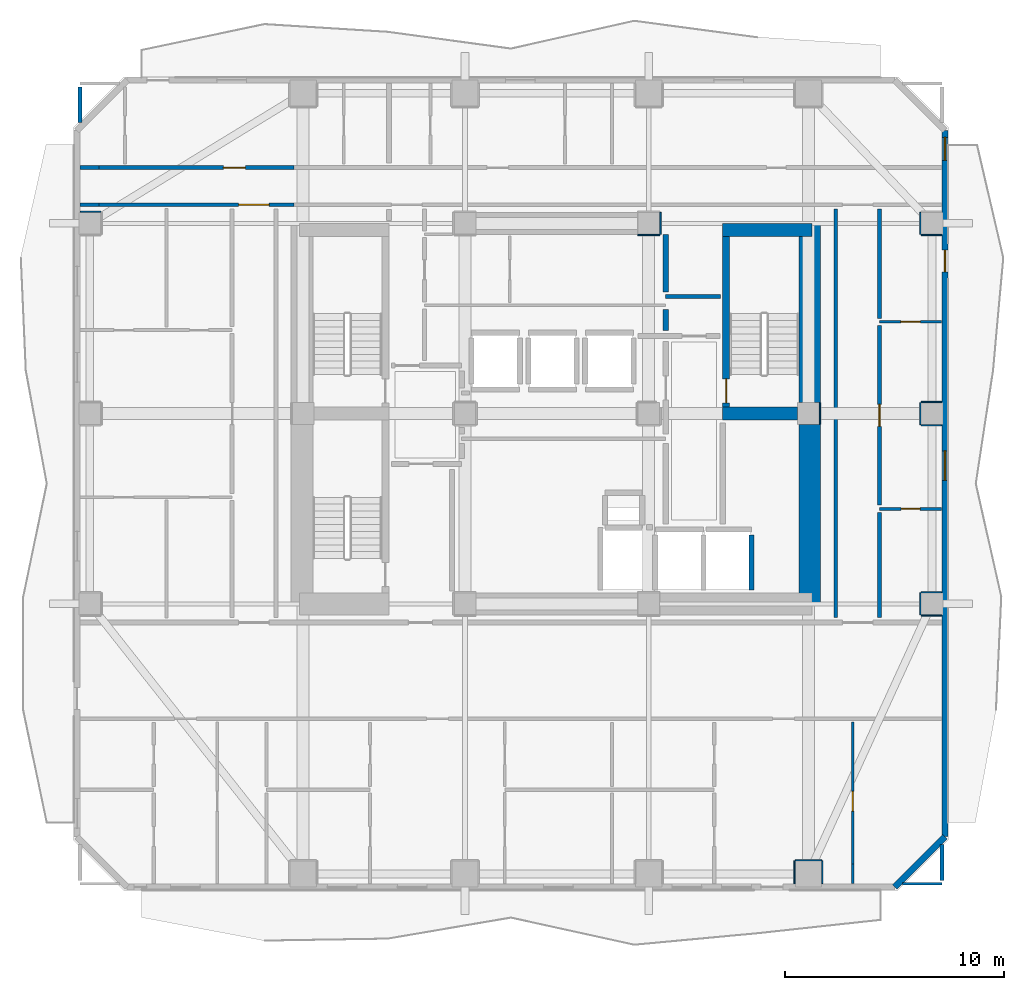
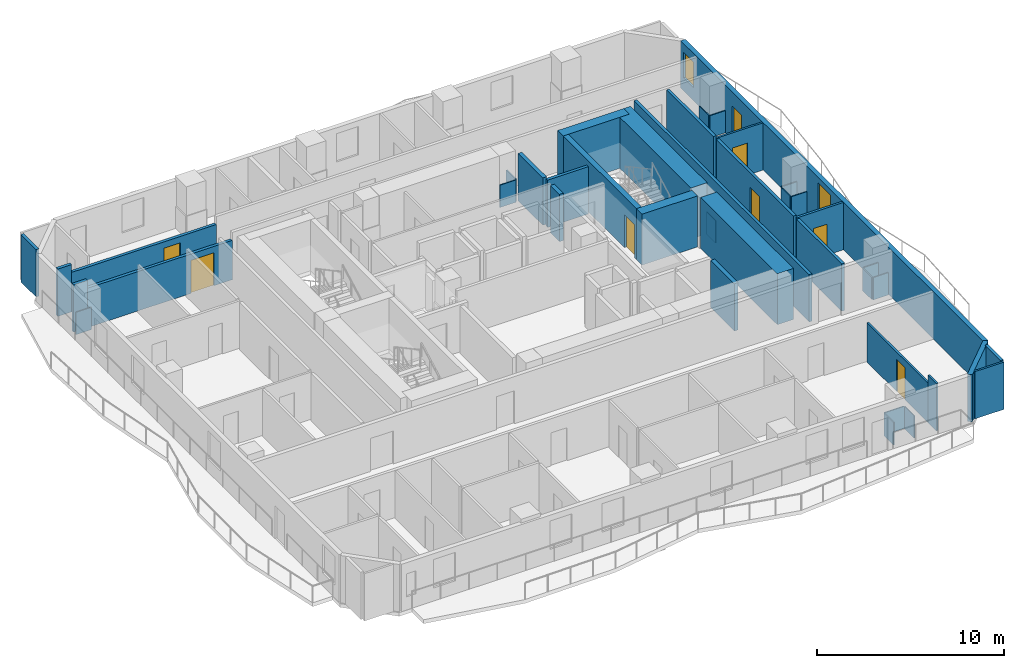
# One storey, part 5 of 11: 41 walls, 8 doors, 2 windows, 10 openings.
"""IFC4 building model written with IfcOpenShell, lengths in metres."""

from ifc_helpers import new_model, si_unit, direction, frame, frame_2d, origin, place, context, subcontext, project, spatial, rectangle, extrude, material, layer, layer_set, type_object, element, fill, save


model = new_model("IFC4")

# Units and contexts
model_context = context("Model", 3, precision=1e-05, world=origin(), true_north=direction((0.0, 1.0)))
body_context = subcontext(model_context, "Body", "Model", "MODEL_VIEW")
ifc_project = project(units=[si_unit("LENGTHUNIT", "METRE"), si_unit("AREAUNIT", "SQUARE_METRE"), si_unit("VOLUMEUNIT", "CUBIC_METRE"), si_unit("PLANEANGLEUNIT", "RADIAN"), si_unit("MASSUNIT", "GRAM", prefix="KILO")], contexts=[model_context])

# Site, building, storey
site_placement = place(None, origin())
site = spatial("IfcSite", under=ifc_project, at=site_placement, CompositionType="ELEMENT")
building_placement = place(site_placement, origin())
building = spatial("IfcBuilding", under=site, at=building_placement, Name="Solanera Arch Residences", CompositionType="ELEMENT")
storey_placement = place(building_placement, frame((0.0, 0.0, 112.719970703125)))
storey = spatial("IfcBuildingStorey", under=building, at=storey_placement, Name="L32", CompositionType="ELEMENT", Elevation=112.719970703125)

# Walls
ifc_material_1 = material(Name="Fire-Rated Gypsum Stud Partition", Category="gypsum")
ifc_layer_1 = layer(ifc_material_1, 0.06005859375)
ifc_layer_set_1 = layer_set([ifc_layer_1], Name="Fire-Rated Gypsum Stud Partition")
wall_type_1 = type_object("IfcWallType", Name="Column Acoustic Furring Wall 60", PredefinedType="PARTITIONING", material=ifc_layer_set_1)
for number, where, z_axis, x_axis, name in (
    (1, (28.699951171875, 38.867919921875, 0.0), (0.0, 0.0, 1.0), (1.0, 0.0, 0.0), "L32 Column Furring 4S"),
    (2, (29.73193359375, 38.89990234375, 0.0), (0.0, 0.0, 1.0), (0.0, 1.0, 0.0), "L32 Column Furring 4E"),
):
    element("IfcWall", number, at=place(storey_placement, frame(where, z_axis=z_axis, x_axis=x_axis)), inside=storey, type_object=wall_type_1, Name=name, PredefinedType="PARTITIONING", context=body_context, shape_type="SweptSolid", body=[
        extrude(rectangle(XDim=1.0, YDim=0.06005859375, at=frame_2d((0.5, 0.0))), origin(), (0.0, 0.0, 1.0), 1.449951171875),
    ])
wall_1_placement = place(storey_placement, frame((37.031982421875, 30.2099609375, 0.0), z_axis=(0.0, 0.0, 1.0), x_axis=(0.0, 1.0, 0.0)))
element("IfcWall", 3, at=wall_1_placement, inside=storey, type_object=wall_type_1, Name="L32 Column Furring 6E", PredefinedType="PARTITIONING", context=body_context, shape_type="SweptSolid", body=[
    extrude(rectangle(XDim=0.97998046875, YDim=0.06005859375, at=frame_2d((0.489990234375, 0.0))), origin(), (0.0, 0.0, 1.0), 1.449951171875),
])
wall_2_placement = place(storey_placement, frame((35.89990234375, 10.281982421875, 0.0), z_axis=(0.0, 0.0, 1.0), x_axis=(1.0, 0.0, 0.0)))
element("IfcWall", 4, at=wall_2_placement, inside=storey, type_object=wall_type_1, Name="L32 Column Furring 15N", PredefinedType="PARTITIONING", context=body_context, shape_type="SweptSolid", body=[
    extrude(rectangle(XDim=1.2001953125, YDim=0.06005859375, at=frame_2d((0.60009765625, 0.0))), origin(), (0.0, 0.0, 1.0), 1.449951171875),
])
for number, where, z_axis, x_axis, name in (
    (5, (35.867919921875, 9.2099609375, 0.0), (0.0, 0.0, 1.0), (0.0, 1.0, 0.0), "L32 Column Furring 15W"),
    (6, (37.132080078125, 9.2099609375, 0.0), (0.0, 0.0, 1.0), (0.0, 1.0, 0.0), "L32 Column Furring 15E"),
):
    element("IfcWall", number, at=place(storey_placement, frame(where, z_axis=z_axis, x_axis=x_axis)), inside=storey, type_object=wall_type_1, Name=name, PredefinedType="PARTITIONING", context=body_context, shape_type="SweptSolid", body=[
        extrude(rectangle(XDim=1.0400390625, YDim=0.06005859375, at=frame_2d((0.52001953125, 0.0))), origin(), (0.0, 0.0, 1.0), 1.449951171875),
    ])
for number, where, z_axis, x_axis, name in (
    (7, (41.64990234375, 21.468017578125, 0.0), (0.0, 0.0, 1.0), (1.0, 0.0, 0.0), "L32 Column Furring 18S"),
    (8, (41.64990234375, 22.531982421875, 0.0), (0.0, 0.0, 1.0), (1.0, 0.0, 0.0), "L32 Column Furring 18N"),
):
    element("IfcWall", number, at=place(storey_placement, frame(where, z_axis=z_axis, x_axis=x_axis)), inside=storey, type_object=wall_type_1, Name=name, PredefinedType="PARTITIONING", context=body_context, shape_type="SweptSolid", body=[
        extrude(rectangle(XDim=0.940185546875, YDim=0.06005859375, at=frame_2d((0.47021484375, 0.0))), origin(), (0.0, 0.0, 1.0), 1.449951171875),
    ])
wall_3_placement = place(storey_placement, frame((41.617919921875, 21.5, 0.0), z_axis=(0.0, 0.0, 1.0), x_axis=(0.0, 1.0, 0.0)))
element("IfcWall", 9, at=wall_3_placement, inside=storey, type_object=wall_type_1, Name="L32 Column Furring 18W", PredefinedType="PARTITIONING", context=body_context, shape_type="SweptSolid", body=[
    extrude(rectangle(XDim=1.0, YDim=0.06005859375, at=frame_2d((0.5, 0.0))), origin(), (0.0, 0.0, 1.0), 1.449951171875),
])
for number, where, z_axis, x_axis, name in (
    (10, (41.64990234375, 30.16796875, 0.0), (0.0, 0.0, 1.0), (1.0, 0.0, 0.0), "L32 Column Furring 20S"),
    (11, (41.64990234375, 31.23193359375, 0.0), (0.0, 0.0, 1.0), (1.0, 0.0, 0.0), "L32 Column Furring 20N"),
):
    element("IfcWall", number, at=place(storey_placement, frame(where, z_axis=z_axis, x_axis=x_axis)), inside=storey, type_object=wall_type_1, Name=name, PredefinedType="PARTITIONING", context=body_context, shape_type="SweptSolid", body=[
        extrude(rectangle(XDim=0.940185546875, YDim=0.06005859375, at=frame_2d((0.47021484375, 0.0))), origin(), (0.0, 0.0, 1.0), 1.449951171875),
    ])
wall_4_placement = place(storey_placement, frame((41.617919921875, 30.199951171875, 0.0), z_axis=(0.0, 0.0, 1.0), x_axis=(0.0, 1.0, 0.0)))
element("IfcWall", 12, at=wall_4_placement, inside=storey, type_object=wall_type_1, Name="L32 Column Furring 20W", PredefinedType="PARTITIONING", context=body_context, shape_type="SweptSolid", body=[
    extrude(rectangle(XDim=1.0, YDim=0.06005859375, at=frame_2d((0.5, 0.0))), origin(), (0.0, 0.0, 1.0), 1.449951171875),
])
wall_5_placement = place(storey_placement, frame((3.2099609375, 39.931884765625, 0.0), z_axis=(0.0, 0.0, 1.0), x_axis=(1.0, 0.0, 0.0)))
element("IfcWall", 13, at=wall_5_placement, inside=storey, type_object=wall_type_1, Name="L32 Column Furring 21N", PredefinedType="PARTITIONING", context=body_context, shape_type="SweptSolid", body=[
    extrude(rectangle(XDim=0.93994140625, YDim=0.06005859375, at=frame_2d((0.469970703125, 0.0))), origin(), (0.0, 0.0, 1.0), 1.449951171875),
])
wall_6_placement = place(storey_placement, frame((41.64990234375, 38.867919921875, 0.0), z_axis=(0.0, 0.0, 1.0), x_axis=(1.0, 0.0, 0.0)))
element("IfcWall", 14, at=wall_6_placement, inside=storey, type_object=wall_type_1, Name="L32 Column Furring 22S", PredefinedType="PARTITIONING", context=body_context, shape_type="SweptSolid", body=[
    extrude(rectangle(XDim=0.940185546875, YDim=0.06005859375, at=frame_2d((0.47021484375, 0.0))), origin(), (0.0, 0.0, 1.0), 1.449951171875),
])
wall_7_placement = place(storey_placement, frame((41.617919921875, 38.89990234375, 0.0), z_axis=(0.0, 0.0, 1.0), x_axis=(0.0, 1.0, 0.0)))
element("IfcWall", 15, at=wall_7_placement, inside=storey, type_object=wall_type_1, Name="L32 Column Furring 22W", PredefinedType="PARTITIONING", context=body_context, shape_type="SweptSolid", body=[
    extrude(rectangle(XDim=1.0, YDim=0.06005859375, at=frame_2d((0.5, 0.0))), origin(), (0.0, 0.0, 1.0), 1.449951171875),
])
ifc_material_2 = material(Name="Concrete C55/67 (f'c = 60 MPa)", Category="concrete")
ifc_layer_2 = layer(ifc_material_2, 1.0)
ifc_layer_set_2 = layer_set([ifc_layer_2], Name="Concrete C55/67 (f'c = 60 MPa)")
wall_type_2 = type_object("IfcWallType", Name="Core Shear Wall CW-1000", PredefinedType="SHEAR", material=ifc_layer_set_2)
wall_8_placement = place(storey_placement, frame((36.56005859375, 22.0, 0.0), z_axis=(0.0, 0.0, 1.0), x_axis=(0.0, 1.0, 0.0)))
element("IfcWall", 16, at=wall_8_placement, inside=storey, type_object=wall_type_2, Name="L32 East Core South Shear Wall", PredefinedType="SHEAR", context=body_context, shape_type="SweptSolid", body=[
    extrude(rectangle(XDim=8.195068359375, YDim=1.0, at=frame_2d((4.09765625, 0.0))), origin(), (0.0, 0.0, 1.0), 3.320068359375),
])
wall_9_placement = place(storey_placement, frame((36.56005859375, 31.205078125, 0.0), z_axis=(0.0, 0.0, 1.0), x_axis=(0.0, 1.0, 0.0)))
element("IfcWall", 17, at=wall_9_placement, inside=storey, type_object=wall_type_2, Name="L32 East Core North Shear Wall", PredefinedType="SHEAR", context=body_context, shape_type="SweptSolid", body=[
    extrude(rectangle(XDim=8.19482421875, YDim=1.0, at=frame_2d((4.097412109375, 0.0))), origin(), (0.0, 0.0, 1.0), 3.320068359375),
])

# Wall, opening, door
ifc_material_3 = material(Name="Concrete C40/50 (f'c = 45 MPa)", Category="concrete")
ifc_layer_3 = layer(ifc_material_3, 0.320068359375)
ifc_layer_set_3 = layer_set([ifc_layer_3], Name="Concrete C40/50 (f'c = 45 MPa)")
wall_type_3 = type_object("IfcWallType", Name="Core Shear Wall CW-320", PredefinedType="SHEAR", material=ifc_layer_set_3)
wall_10_placement = place(storey_placement, frame((32.739990234375, 31.0, 0.0), z_axis=(0.0, 0.0, 1.0), x_axis=(0.0, 1.0, 0.0)))
wall_10 = element("IfcWall", 18, at=wall_10_placement, inside=storey, type_object=wall_type_3, Name="L32 Stair ST-T2 West Shear Wall", PredefinedType="SHEAR", context=body_context, shape_type="SweptSolid", body=[
    extrude(rectangle(XDim=7.800048828125, YDim=0.320068359375, at=frame_2d((3.89990234375, 0.0))), origin(), (0.0, 0.0, 1.0), 3.320068359375),
])
opening_1_placement = place(wall_10_placement, frame((0.18994140625, 0.0, 0.0)))
opening_1 = element("IfcOpeningElement", 19, at=opening_1_placement, cuts=wall_10, Name="Opening DF-01", PredefinedType="OPENING", context=body_context, shape_type="SweptSolid", body=[
    extrude(rectangle(XDim=1.10009765625, YDim=2.14990234375, at=frame_2d((0.550048828125, 1.074951171875))), frame((0.0, 0.169921875, 0.0), z_axis=(0.0, -1.0, 0.0), x_axis=(1.0, 0.0, 0.0)), (0.0, 0.0, 1.0), 0.3401),
])
ifc_material_4 = material(Name="Fire-Rated Architectural Hardwood", Category="wood")
door_type_1 = type_object("IfcDoorType", Name="Stair Exit Fire Door DF-01", OperationType="NOTDEFINED", PredefinedType="DOOR", material=ifc_material_4)
door_1_placement = place(opening_1_placement, origin())
door_1 = element("IfcDoor", 20, at=door_1_placement, inside=storey, type_object=door_type_1, Name="DR-L32-STAIR-ST-T2", OperationType="SINGLE_SWING_LEFT", OverallHeight=2.14990234375, OverallWidth=1.10009765625, PredefinedType="DOOR", context=body_context, shape_type="SweptSolid", body=[
    extrude(rectangle(XDim=1.10009765625, YDim=2.14990234375, at=frame_2d((0.550048828125, 1.074951171875))), frame((0.0, 0.02490234375, 0.0), z_axis=(0.0, -1.0, 0.0), x_axis=(1.0, 0.0, 0.0)), (0.0, 0.0, 1.0), 0.050048828125),
])
fill(opening_1, door_1)

# Walls
ifc_material_5 = material(Name="Concrete C40/50 (f'c = 45 MPa)", Category="concrete")
ifc_layer_4 = layer(ifc_material_5, 0.60009765625)
ifc_layer_set_4 = layer_set([ifc_layer_4], Name="Concrete C40/50 (f'c = 45 MPa)")
wall_type_4 = type_object("IfcWallType", Name="Core Shear Wall CW-600", PredefinedType="SHEAR", material=ifc_layer_set_4)
wall_11_placement = place(storey_placement, frame((32.580078125, 39.10009765625, 0.0), z_axis=(0.0, 0.0, 1.0), x_axis=(1.0, 0.0, 0.0)))
element("IfcWall", 21, at=wall_11_placement, inside=storey, type_object=wall_type_4, Name="L32 North-East Core Shear Wall", PredefinedType="SHEAR", context=body_context, shape_type="SweptSolid", body=[
    extrude(rectangle(XDim=4.079833984375, YDim=0.60009765625, at=frame_2d((2.0400390625, 0.0))), origin(), (0.0, 0.0, 1.0), 3.320068359375),
])
wall_12_placement = place(storey_placement, frame((32.580078125, 30.699951171875, 0.0), z_axis=(0.0, 0.0, 1.0), x_axis=(1.0, 0.0, 0.0)))
element("IfcWall", 22, at=wall_12_placement, inside=storey, type_object=wall_type_4, Name="L32 East Stair Far-Landing Shear Wall", PredefinedType="SHEAR", context=body_context, shape_type="SweptSolid", body=[
    extrude(rectangle(XDim=3.4150390625, YDim=0.60009765625, at=frame_2d((1.70751953125, 0.0))), origin(), (0.0, 0.0, 1.0), 3.320068359375),
])
ifc_material_6 = material(Name="Autoclaved Aerated Concrete Blockwork", Category="masonry")
ifc_layer_5 = layer(ifc_material_6, 0.179931640625)
ifc_layer_set_5 = layer_set([ifc_layer_5], Name="Autoclaved Aerated Concrete Blockwork")
wall_type_5 = type_object("IfcWallType", Name="Corridor Fire Partition 180", PredefinedType="PARTITIONING", material=ifc_layer_set_5)
wall_13_placement = place(storey_placement, frame((29.97509765625, 36.050048828125, 0.0), z_axis=(0.0, 0.0, 1.0), x_axis=(1.0, 0.0, 0.0)))
element("IfcWall", 23, at=wall_13_placement, inside=storey, type_object=wall_type_5, Name="L32 Interior Partition H9", PredefinedType="PARTITIONING", context=body_context, shape_type="SweptSolid", body=[
    extrude(rectangle(XDim=2.5048828125, YDim=0.179931640625, at=frame_2d((1.25244140625, 0.0))), origin(), (0.0, 0.0, 1.0), 3.080078125),
])
wall_14_placement = place(storey_placement, frame((3.20703125, 40.25, 0.0), z_axis=(0.0, 0.0, 1.0), x_axis=(1.0, 0.0, 0.0)))
element("IfcWall", 24, at=wall_14_placement, inside=storey, type_object=wall_type_5, Name="L32 Interior Partition H10 1", PredefinedType="PARTITIONING", context=body_context, shape_type="SweptSolid", body=[
    extrude(rectangle(XDim=0.864013671875, YDim=0.179931640625, at=frame_2d((0.43212890625, 0.0))), origin(), (0.0, 0.0, 1.0), 3.080078125),
])

# Wall, opening, door
wall_15_placement = place(storey_placement, frame((4.071044921875, 40.25, 0.0), z_axis=(0.0, 0.0, 1.0), x_axis=(1.0, 0.0, 0.0)))
wall_15 = element("IfcWall", 25, at=wall_15_placement, inside=storey, type_object=wall_type_5, Name="L32 Interior Partition H10 2", PredefinedType="PARTITIONING", context=body_context, shape_type="SweptSolid", body=[
    extrude(rectangle(XDim=8.907958984375, YDim=0.179931640625, at=frame_2d((4.4541015625, 0.0))), origin(), (0.0, 0.0, 1.0), 2.56494140625),
])
opening_2_placement = place(wall_15_placement, frame((6.37890625, 0.0, 0.0)))
opening_2 = element("IfcOpeningElement", 26, at=opening_2_placement, cuts=wall_15, Name="Opening DF-03", PredefinedType="OPENING", context=body_context, shape_type="SweptSolid", body=[
    extrude(rectangle(XDim=1.39990234375, YDim=2.14990234375, at=frame_2d((0.699951171875, 1.074951171875))), frame((0.0, 0.10009765625, 0.0), z_axis=(0.0, -1.0, 0.0), x_axis=(1.0, 0.0, 0.0)), (0.0, 0.0, 1.0), 0.1999),
])
ifc_material_7 = material(Name="Fire-Rated Architectural Hardwood", Category="wood")
door_type_2 = type_object("IfcDoorType", Name="Corridor Smoke Door DF-03", OperationType="NOTDEFINED", PredefinedType="DOOR", material=ifc_material_7)
door_2_placement = place(opening_2_placement, origin())
door_2 = element("IfcDoor", 27, at=door_2_placement, inside=storey, type_object=door_type_2, Name="DR-L32-IN-012", OperationType="SINGLE_SWING_LEFT", OverallHeight=2.14990234375, OverallWidth=1.39990234375, PredefinedType="DOOR", context=body_context, shape_type="SweptSolid", body=[
    extrude(rectangle(XDim=1.39990234375, YDim=2.14990234375, at=frame_2d((0.699951171875, 1.074951171875))), frame((0.0, 0.02490234375, 0.0), z_axis=(0.0, -1.0, 0.0), x_axis=(1.0, 0.0, 0.0)), (0.0, 0.0, 1.0), 0.050048828125),
])
fill(opening_2, door_2)

# Wall
wall_16_placement = place(storey_placement, frame((3.20703125, 41.949951171875, 0.0), z_axis=(0.0, 0.0, 1.0), x_axis=(1.0, 0.0, 0.0)))
element("IfcWall", 28, at=wall_16_placement, inside=storey, type_object=wall_type_5, Name="L32 Interior Partition H11 1", PredefinedType="PARTITIONING", context=body_context, shape_type="SweptSolid", body=[
    extrude(rectangle(XDim=0.864013671875, YDim=0.179931640625, at=frame_2d((0.43212890625, 0.0))), origin(), (0.0, 0.0, 1.0), 3.080078125),
])

# Wall, opening, door
wall_17_placement = place(storey_placement, frame((4.071044921875, 41.949951171875, 0.0), z_axis=(0.0, 0.0, 1.0), x_axis=(1.0, 0.0, 0.0)))
wall_17 = element("IfcWall", 29, at=wall_17_placement, inside=storey, type_object=wall_type_5, Name="L32 Interior Partition H11 2", PredefinedType="PARTITIONING", context=body_context, shape_type="SweptSolid", body=[
    extrude(rectangle(XDim=8.907958984375, YDim=0.179931640625, at=frame_2d((4.4541015625, 0.0))), origin(), (0.0, 0.0, 1.0), 2.56494140625),
])
opening_3_placement = place(wall_17_placement, frame((5.68408203125, 0.0, 0.0)))
opening_3 = element("IfcOpeningElement", 30, at=opening_3_placement, cuts=wall_17, Name="Opening DI-01", PredefinedType="OPENING", context=body_context, shape_type="SweptSolid", body=[
    extrude(rectangle(XDim=1.0, YDim=2.14990234375, at=frame_2d((0.5, 1.074951171875))), frame((0.0, 0.10009765625, 0.0), z_axis=(0.0, -1.0, 0.0), x_axis=(1.0, 0.0, 0.0)), (0.0, 0.0, 1.0), 0.1999),
])
ifc_material_8 = material(Name="Fire-Rated Architectural Hardwood", Category="wood")
door_type_3 = type_object("IfcDoorType", Name="Unit Entrance Fire Door DI-01", OperationType="NOTDEFINED", PredefinedType="DOOR", material=ifc_material_8)
door_3_placement = place(opening_3_placement, origin())
door_3 = element("IfcDoor", 31, at=door_3_placement, inside=storey, type_object=door_type_3, Name="DR-L32-IN-029", OperationType="SINGLE_SWING_RIGHT", OverallHeight=2.14990234375, OverallWidth=1.0, PredefinedType="DOOR", context=body_context, shape_type="SweptSolid", body=[
    extrude(rectangle(XDim=1.0, YDim=2.14990234375, at=frame_2d((0.5, 1.074951171875))), frame((0.0, 0.02490234375, 0.0), z_axis=(0.0, -1.0, 0.0), x_axis=(1.0, 0.0, 0.0)), (0.0, 0.0, 1.0), 0.050048828125),
])
fill(opening_3, door_3)

# Walls
wall_18_placement = place(storey_placement, frame((3.199951171875, 44.0048828125, 0.0), z_axis=(0.0, 0.0, 1.0), x_axis=(0.0, 1.0, 0.0)))
element("IfcWall", 32, at=wall_18_placement, inside=storey, type_object=wall_type_5, Name="L32 Interior Partition V7 2", PredefinedType="PARTITIONING", context=body_context, shape_type="SweptSolid", body=[
    extrude(rectangle(XDim=1.627197265625, YDim=0.179931640625, at=frame_2d((0.8134765625, 0.0))), origin(), (0.0, 0.0, 1.0), 3.080078125),
])
wall_19_placement = place(storey_placement, frame((37.75, 21.367919921875, 0.0), z_axis=(0.0, 0.0, 1.0), x_axis=(0.0, 1.0, 0.0)))
element("IfcWall", 33, at=wall_19_placement, inside=storey, type_object=wall_type_5, Name="L32 Interior Partition V12", PredefinedType="PARTITIONING", context=body_context, shape_type="SweptSolid", body=[
    extrude(rectangle(XDim=18.694091796875, YDim=0.179931640625, at=frame_2d((9.34716796875, 0.0))), origin(), (0.0, 0.0, 1.0), 3.080078125),
])
wall_20_placement = place(storey_placement, frame((39.75, 21.367919921875, 0.0), z_axis=(0.0, 0.0, 1.0), x_axis=(0.0, 1.0, 0.0)))
element("IfcWall", 34, at=wall_20_placement, inside=storey, type_object=wall_type_5, Name="L32 Interior Partition V13 1", PredefinedType="PARTITIONING", context=body_context, shape_type="SweptSolid", body=[
    extrude(rectangle(XDim=4.80908203125, YDim=0.179931640625, at=frame_2d((2.404541015625, 0.0))), origin(), (0.0, 0.0, 1.0), 3.080078125),
])

# Wall, opening, door
wall_21_placement = place(storey_placement, frame((39.75, 26.512939453125, 0.0), z_axis=(0.0, 0.0, 1.0), x_axis=(0.0, 1.0, 0.0)))
wall_21 = element("IfcWall", 35, at=wall_21_placement, inside=storey, type_object=wall_type_5, Name="L32 Interior Partition V13 2", PredefinedType="PARTITIONING", context=body_context, shape_type="SweptSolid", body=[
    extrude(rectangle(XDim=8.220947265625, YDim=0.179931640625, at=frame_2d((4.1103515625, 0.0))), origin(), (0.0, 0.0, 1.0), 3.080078125),
])
opening_4_placement = place(wall_21_placement, frame((3.60498046875, 0.0, 0.0)))
opening_4 = element("IfcOpeningElement", 36, at=opening_4_placement, cuts=wall_21, Name="Opening DI-01", PredefinedType="OPENING", context=body_context, shape_type="SweptSolid", body=[
    extrude(rectangle(XDim=1.0, YDim=2.14990234375, at=frame_2d((0.5, 1.074951171875))), frame((0.0, 0.10009765625, 0.0), z_axis=(0.0, -1.0, 0.0), x_axis=(1.0, 0.0, 0.0)), (0.0, 0.0, 1.0), 0.1999),
])
door_4_placement = place(opening_4_placement, origin())
door_4 = element("IfcDoor", 37, at=door_4_placement, inside=storey, type_object=door_type_3, Name="DR-L32-IN-041", OperationType="SINGLE_SWING_RIGHT", OverallHeight=2.14990234375, OverallWidth=1.0, PredefinedType="DOOR", context=body_context, shape_type="SweptSolid", body=[
    extrude(rectangle(XDim=1.0, YDim=2.14990234375, at=frame_2d((0.5, 1.074951171875))), frame((0.0, 0.02490234375, 0.0), z_axis=(0.0, -1.0, 0.0), x_axis=(1.0, 0.0, 0.0)), (0.0, 0.0, 1.0), 0.050048828125),
])
fill(opening_4, door_4)

# Walls
wall_22_placement = place(storey_placement, frame((39.75, 35.050048828125, 0.0), z_axis=(0.0, 0.0, 1.0), x_axis=(0.0, 1.0, 0.0)))
element("IfcWall", 38, at=wall_22_placement, inside=storey, type_object=wall_type_5, Name="L32 Interior Partition V13 3", PredefinedType="PARTITIONING", context=body_context, shape_type="SweptSolid", body=[
    extrude(rectangle(XDim=5.011962890625, YDim=0.179931640625, at=frame_2d((2.505859375, 0.0))), origin(), (0.0, 0.0, 1.0), 3.080078125),
])
wall_23_placement = place(storey_placement, frame((42.60009765625, 9.35791015625, 0.0), z_axis=(0.0, 0.0, 1.0), x_axis=(0.0, 1.0, 0.0)))
element("IfcWall", 39, at=wall_23_placement, inside=storey, type_object=wall_type_5, Name="L32 Interior Partition V14 1", PredefinedType="PARTITIONING", context=body_context, shape_type="SweptSolid", body=[
    extrude(rectangle(XDim=1.63720703125, YDim=0.179931640625, at=frame_2d((0.818603515625, 0.0))), origin(), (0.0, 0.0, 1.0), 3.080078125),
])

# Wall, openings, door, windows
ifc_material_9 = material(Name="Precast Concrete C35/45", Category="concrete")
ifc_layer_6 = layer(ifc_material_9, 0.280029296875)
ifc_layer_set_6 = layer_set([ifc_layer_6], Name="Precast Concrete C35/45")
wall_type_6 = type_object("IfcWallType", Name="Exterior Wall Precast Masonry-Frame 280", PredefinedType="STANDARD", material=ifc_layer_set_6)
wall_24_placement = place(storey_placement, frame((42.7451171875, 43.64501953125, 0.0), z_axis=(0.0, 0.0, 1.0), x_axis=(0.0, -1.0, 0.0)))
wall_24 = element("IfcWall", 40, at=wall_24_placement, inside=storey, type_object=wall_type_6, Name="L32 Tower Exterior Precast Masonry-Frame Wall E", PredefinedType="STANDARD", context=body_context, shape_type="SweptSolid", body=[
    extrude(rectangle(XDim=32.2900390625, YDim=0.280029296875, at=frame_2d((16.14501953125, 0.0))), origin(), (0.0, 0.0, 1.0), 3.080078125),
])
opening_5_placement = place(wall_24_placement, frame((5.467041015625, 0.0, 0.0)))
opening_5 = element("IfcOpeningElement", 41, at=opening_5_placement, cuts=wall_24, Name="Opening DB-01", PredefinedType="OPENING", context=body_context, shape_type="SweptSolid", body=[
    extrude(rectangle(XDim=1.0, YDim=2.14990234375, at=frame_2d((0.5, 1.074951171875))), frame((0.0, 0.14990234375, 0.0), z_axis=(0.0, -1.0, 0.0), x_axis=(1.0, 0.0, 0.0)), (0.0, 0.0, 1.0), 0.3),
])
opening_6_placement = place(wall_24_placement, frame((0.318115234375, 0.0, 0.85009765625)))
opening_6 = element("IfcOpeningElement", 42, at=opening_6_placement, cuts=wall_24, Name="Opening W-07", PredefinedType="OPENING", context=body_context, shape_type="SweptSolid", body=[
    extrude(rectangle(XDim=1.050048828125, YDim=1.64990234375, at=frame_2d((0.52490234375, 0.824951171875))), frame((0.0, 0.14990234375, 0.0), z_axis=(0.0, -1.0, 0.0), x_axis=(1.0, 0.0, 0.0)), (0.0, 0.0, 1.0), 0.3),
])
opening_7_placement = place(wall_24_placement, frame((14.64794921875, 0.0, 0.85009765625)))
opening_7 = element("IfcOpeningElement", 43, at=opening_7_placement, cuts=wall_24, Name="Opening W-10", PredefinedType="OPENING", context=body_context, shape_type="SweptSolid", body=[
    extrude(rectangle(XDim=1.35009765625, YDim=1.85009765625, at=frame_2d((0.675048828125, 0.925048828125))), frame((0.0, 0.14990234375, 0.0), z_axis=(0.0, -1.0, 0.0), x_axis=(1.0, 0.0, 0.0)), (0.0, 0.0, 1.0), 0.3),
])
ifc_material_10 = material(Name="Anodised Aluminium Alloy 6063-T6", Category="aluminium")
door_type_4 = type_object("IfcDoorType", Name="Glazed Balcony Swing Door DB-01", OperationType="NOTDEFINED", PredefinedType="DOOR", material=ifc_material_10)
door_5_placement = place(opening_5_placement, origin())
door_5 = element("IfcDoor", 44, at=door_5_placement, inside=storey, type_object=door_type_4, Name="DR-L32-OUT-03", OperationType="SINGLE_SWING_RIGHT", OverallHeight=2.14990234375, OverallWidth=1.0, PredefinedType="DOOR", context=body_context, shape_type="SweptSolid", body=[
    extrude(rectangle(XDim=1.0, YDim=2.14990234375, at=frame_2d((0.5, 1.074951171875))), frame((0.0, 0.02490234375, 0.0), z_axis=(0.0, -1.0, 0.0), x_axis=(1.0, 0.0, 0.0)), (0.0, 0.0, 1.0), 0.050048828125),
])
fill(opening_5, door_5)
ifc_material_11 = material(Name="Double Glazed Low-E Laminated Glass", Category="glass")
window_type_1 = type_object("IfcWindowType", Name="Punched Window W-07", PartitioningType="SINGLE_PANEL", PredefinedType="WINDOW", material=ifc_material_11)
window_1_placement = place(opening_6_placement, origin())
window_1 = element("IfcWindow", 45, at=window_1_placement, inside=storey, type_object=window_type_1, Name="L32 AMN-LOUN Punched Window", OverallHeight=1.64990234375, OverallWidth=1.050048828125, PartitioningType="SINGLE_PANEL", PredefinedType="WINDOW", context=body_context, shape_type="SweptSolid", body=[
    extrude(rectangle(XDim=1.050048828125, YDim=1.64990234375, at=frame_2d((0.52490234375, 0.824951171875))), frame((0.0, 0.030029296875, 0.0), z_axis=(0.0, -1.0, 0.0), x_axis=(1.0, 0.0, 0.0)), (0.0, 0.0, 1.0), 0.06005859375),
])
fill(opening_6, window_1)
ifc_material_12 = material(Name="Double Glazed Low-E Laminated Glass", Category="glass")
window_type_2 = type_object("IfcWindowType", Name="Punched Window W-10", PartitioningType="DOUBLE_PANEL_VERTICAL", PredefinedType="WINDOW", material=ifc_material_12)
window_2_placement = place(opening_7_placement, origin())
window_2 = element("IfcWindow", 46, at=window_2_placement, inside=storey, type_object=window_type_2, Name="L32 3207-LIV Punched Window", OverallHeight=1.85009765625, OverallWidth=1.35009765625, PartitioningType="SINGLE_PANEL", PredefinedType="WINDOW", context=body_context, shape_type="SweptSolid", body=[
    extrude(rectangle(XDim=1.35009765625, YDim=1.85009765625, at=frame_2d((0.675048828125, 0.925048828125))), frame((0.0, 0.030029296875, 0.0), z_axis=(0.0, -1.0, 0.0), x_axis=(1.0, 0.0, 0.0)), (0.0, 0.0, 1.0), 0.06005859375),
])
fill(opening_7, window_2)

# Walls
wall_25_placement = place(storey_placement, frame((42.7451171875, 11.35498046875, 0.0), z_axis=(0.0, 0.0, 1.0), x_axis=(-0.707106781187, -0.707106781187, 0.0)))
element("IfcWall", 47, at=wall_25_placement, inside=storey, type_object=wall_type_6, Name="L32 Tower Exterior Precast Masonry-Frame Wall CH5", PredefinedType="STANDARD", context=body_context, shape_type="SweptSolid", body=[
    extrude(rectangle(XDim=3.252685546875, YDim=0.280029296875, at=frame_2d((1.62646484375, 0.0))), origin(), (0.0, 0.0, 1.0), 3.080078125),
])
ifc_material_13 = material(Name="Autoclaved Aerated Concrete Blockwork", Category="masonry")
ifc_layer_7 = layer(ifc_material_13, 0.239990234375)
ifc_layer_set_7 = layer_set([ifc_layer_7], Name="Autoclaved Aerated Concrete Blockwork")
wall_type_7 = type_object("IfcWallType", Name="Shaft Wall Fire-Rated 240", PredefinedType="PARTITIONING", material=ifc_layer_set_7)
wall_26_placement = place(storey_placement, frame((33.89990234375, 22.6298828125, 0.0), z_axis=(0.0, 0.0, 1.0), x_axis=(0.0, 1.0, 0.0)))
element("IfcWall", 48, at=wall_26_placement, inside=storey, type_object=wall_type_7, Name="L32 Lift FFL-2 Hoistway Wall E", PredefinedType="PARTITIONING", context=body_context, shape_type="SweptSolid", body=[
    extrude(rectangle(XDim=2.522216796875, YDim=0.239990234375, at=frame_2d((1.26123046875, 0.0))), origin(), (0.0, 0.0, 1.0), 3.080078125),
])
wall_27_placement = place(storey_placement, frame((29.97509765625, 34.498046875, 0.0), z_axis=(0.0, 0.0, 1.0), x_axis=(0.0, 1.0, 0.0)))
element("IfcWall", 49, at=wall_27_placement, inside=storey, type_object=wall_type_7, Name="L32 Interior Partition V5 3", PredefinedType="PARTITIONING", context=body_context, shape_type="SweptSolid", body=[
    extrude(rectangle(XDim=0.9638671875, YDim=0.239990234375, at=frame_2d((0.48193359375, 0.0))), origin(), (0.0, 0.0, 1.0), 3.080078125),
])
wall_28_placement = place(storey_placement, frame((29.97509765625, 36.26806640625, 0.0), z_axis=(0.0, 0.0, 1.0), x_axis=(0.0, 1.0, 0.0)))
element("IfcWall", 50, at=wall_28_placement, inside=storey, type_object=wall_type_7, Name="L32 Interior Partition V5 4", PredefinedType="PARTITIONING", context=body_context, shape_type="SweptSolid", body=[
    extrude(rectangle(XDim=2.6318359375, YDim=0.239990234375, at=frame_2d((1.31591796875, 0.0))), origin(), (0.0, 0.0, 1.0), 3.080078125),
])
ifc_material_14 = material(Name="Fire-Rated Gypsum Stud Partition", Category="gypsum")
ifc_layer_8 = layer(ifc_material_14, 0.1201171875)
ifc_layer_set_8 = layer_set([ifc_layer_8], Name="Fire-Rated Gypsum Stud Partition")
wall_type_8 = type_object("IfcWallType", Name="Unit Drywall Partition 120", PredefinedType="PARTITIONING", material=ifc_layer_set_8)
wall_29_placement = place(storey_placement, frame((40.804931640625, 9.199951171875, 0.0), z_axis=(0.0, 0.0, 1.0), x_axis=(1.0, 0.0, 0.0)))
element("IfcWall", 51, at=wall_29_placement, inside=storey, type_object=wall_type_8, Name="L32 Interior Partition H18 2", PredefinedType="PARTITIONING", context=body_context, shape_type="SweptSolid", body=[
    extrude(rectangle(XDim=1.795166015625, YDim=0.1201171875, at=frame_2d((0.8974609375, 0.0))), origin(), (0.0, 0.0, 1.0), 3.080078125),
])

# Wall, opening, door
wall_30_placement = place(storey_placement, frame((39.75, 34.89208984375, 0.0), z_axis=(0.0, 0.0, 1.0), x_axis=(1.0, 0.0, 0.0)))
wall_30 = element("IfcWall", 52, at=wall_30_placement, inside=storey, type_object=wall_type_8, Name="L32 Interior Partition H20", PredefinedType="PARTITIONING", context=body_context, shape_type="SweptSolid", body=[
    extrude(rectangle(XDim=2.843017578125, YDim=0.1201171875, at=frame_2d((1.42138671875, 0.0))), origin(), (0.0, 0.0, 1.0), 3.080078125),
])
opening_8_placement = place(wall_30_placement, frame((0.97509765625, 0.0, 0.0)))
opening_8 = element("IfcOpeningElement", 53, at=opening_8_placement, cuts=wall_30, Name="Opening DI-02", PredefinedType="OPENING", context=body_context, shape_type="SweptSolid", body=[
    extrude(rectangle(XDim=0.89990234375, YDim=2.10009765625, at=frame_2d((0.449951171875, 1.050048828125))), frame((0.0, 0.070068359375, 0.0), z_axis=(0.0, -1.0, 0.0), x_axis=(1.0, 0.0, 0.0)), (0.0, 0.0, 1.0), 0.1401),
])
ifc_material_15 = material(Name="Fire-Rated Architectural Hardwood", Category="wood")
door_type_5 = type_object("IfcDoorType", Name="Suite Room Swing Door DI-02", OperationType="NOTDEFINED", PredefinedType="DOOR", material=ifc_material_15)
door_6_placement = place(opening_8_placement, origin())
door_6 = element("IfcDoor", 54, at=door_6_placement, inside=storey, type_object=door_type_5, Name="DR-L32-IN-043", OperationType="SINGLE_SWING_RIGHT", OverallHeight=2.10009765625, OverallWidth=0.89990234375, PredefinedType="DOOR", context=body_context, shape_type="SweptSolid", body=[
    extrude(rectangle(XDim=0.89990234375, YDim=2.10009765625, at=frame_2d((0.449951171875, 1.050048828125))), frame((0.0, 0.02490234375, 0.0), z_axis=(0.0, -1.0, 0.0), x_axis=(1.0, 0.0, 0.0)), (0.0, 0.0, 1.0), 0.050048828125),
])
fill(opening_8, door_6)

# Wall
wall_31_placement = place(storey_placement, frame((38.528076171875, 9.20703125, 0.0), z_axis=(0.0, 0.0, 1.0), x_axis=(0.0, 1.0, 0.0)))
element("IfcWall", 55, at=wall_31_placement, inside=storey, type_object=wall_type_8, Name="L32 Interior Partition V30 1", PredefinedType="PARTITIONING", context=body_context, shape_type="SweptSolid", body=[
    extrude(rectangle(XDim=0.89404296875, YDim=0.1201171875, at=frame_2d((0.447021484375, 0.0))), origin(), (0.0, 0.0, 1.0), 3.080078125),
])

# Wall, opening, door
wall_32_placement = place(storey_placement, frame((38.528076171875, 10.10107421875, 0.0), z_axis=(0.0, 0.0, 1.0), x_axis=(0.0, 1.0, 0.0)))
wall_32 = element("IfcWall", 56, at=wall_32_placement, inside=storey, type_object=wall_type_8, Name="L32 Interior Partition V30 2", PredefinedType="PARTITIONING", context=body_context, shape_type="SweptSolid", body=[
    extrude(rectangle(XDim=6.490966796875, YDim=0.1201171875, at=frame_2d((3.24560546875, 0.0))), origin(), (0.0, 0.0, 1.0), 2.56494140625),
])
opening_9_placement = place(wall_32_placement, frame((2.424072265625, 0.0, 0.0)))
opening_9 = element("IfcOpeningElement", 57, at=opening_9_placement, cuts=wall_32, Name="Opening DI-02", PredefinedType="OPENING", context=body_context, shape_type="SweptSolid", body=[
    extrude(rectangle(XDim=0.89990234375, YDim=2.10009765625, at=frame_2d((0.449951171875, 1.050048828125))), frame((0.0, 0.070068359375, 0.0), z_axis=(0.0, -1.0, 0.0), x_axis=(1.0, 0.0, 0.0)), (0.0, 0.0, 1.0), 0.1401),
])
door_7_placement = place(opening_9_placement, origin())
door_7 = element("IfcDoor", 58, at=door_7_placement, inside=storey, type_object=door_type_5, Name="DR-L32-IN-028", OperationType="SINGLE_SWING_LEFT", OverallHeight=2.10009765625, OverallWidth=0.89990234375, PredefinedType="DOOR", context=body_context, shape_type="SweptSolid", body=[
    extrude(rectangle(XDim=0.89990234375, YDim=2.10009765625, at=frame_2d((0.449951171875, 1.050048828125))), frame((0.0, 0.02490234375, 0.0), z_axis=(0.0, -1.0, 0.0), x_axis=(1.0, 0.0, 0.0)), (0.0, 0.0, 1.0), 0.050048828125),
])
fill(opening_9, door_7)

ifc_material_16 = material(Name="Autoclaved Aerated Concrete Blockwork", Category="masonry")
ifc_layer_9 = layer(ifc_material_16, 0.139892578125)
ifc_layer_set_9 = layer_set([ifc_layer_9], Name="Autoclaved Aerated Concrete Blockwork")
wall_type_9 = type_object("IfcWallType", Name="Wet-Room Partition 140", PredefinedType="PARTITIONING", material=ifc_layer_set_9)
wall_33_placement = place(storey_placement, frame((39.75, 26.344970703125, 0.0), z_axis=(0.0, 0.0, 1.0), x_axis=(1.0, 0.0, 0.0)))
wall_33 = element("IfcWall", 59, at=wall_33_placement, inside=storey, type_object=wall_type_9, Name="L32 Interior Partition H15", PredefinedType="PARTITIONING", context=body_context, shape_type="SweptSolid", body=[
    extrude(rectangle(XDim=2.843017578125, YDim=0.139892578125, at=frame_2d((1.42138671875, 0.0))), origin(), (0.0, 0.0, 1.0), 3.080078125),
])
opening_10_placement = place(wall_33_placement, frame((0.9951171875, 0.0, 0.0)))
opening_10 = element("IfcOpeningElement", 60, at=opening_10_placement, cuts=wall_33, Name="Opening DI-05", PredefinedType="OPENING", context=body_context, shape_type="SweptSolid", body=[
    extrude(rectangle(XDim=0.860107421875, YDim=2.02001953125, at=frame_2d((0.43017578125, 1.010009765625))), frame((0.0, 0.079833984375, 0.0), z_axis=(0.0, -1.0, 0.0), x_axis=(1.0, 0.0, 0.0)), (0.0, 0.0, 1.0), 0.1599),
])
ifc_material_17 = material(Name="Fire-Rated Architectural Hardwood", Category="wood")
door_type_6 = type_object("IfcDoorType", Name="Bathroom Swing Door DI-05", OperationType="NOTDEFINED", PredefinedType="DOOR", material=ifc_material_17)
door_8_placement = place(opening_10_placement, origin())
door_8 = element("IfcDoor", 61, at=door_8_placement, inside=storey, type_object=door_type_6, Name="DR-L32-IN-042", OperationType="SINGLE_SWING_LEFT", OverallHeight=2.02001953125, OverallWidth=0.860107421875, PredefinedType="DOOR", context=body_context, shape_type="SweptSolid", body=[
    extrude(rectangle(XDim=0.860107421875, YDim=2.02001953125, at=frame_2d((0.43017578125, 1.010009765625))), frame((0.0, 0.02490234375, 0.0), z_axis=(0.0, -1.0, 0.0), x_axis=(1.0, 0.0, 0.0)), (0.0, 0.0, 1.0), 0.050048828125),
])
fill(opening_10, door_8)

save(model, "model.ifc")
